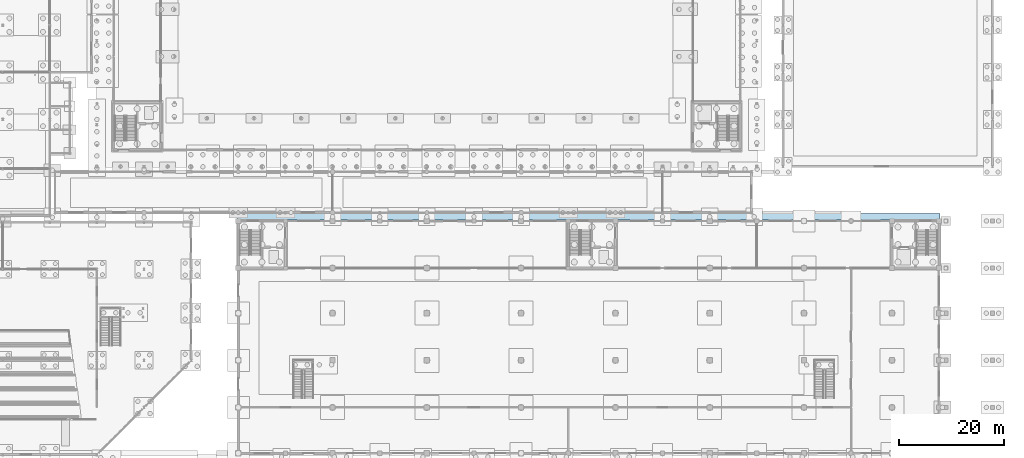
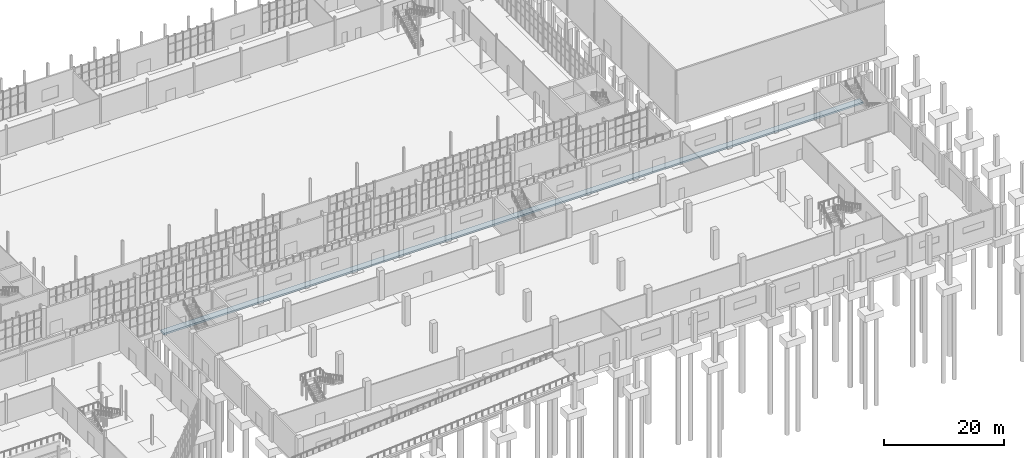
# One storey, part 91 of 131: 1 slab.
"""IFC4 building model written with IfcOpenShell, lengths in metres."""

from ifc_helpers import new_model, si_unit, direction, frame, origin, place, context, subcontext, project, spatial, polyline, outline, extrude, material, layer, layer_set, type_object, element, save


model = new_model("IFC4")

# Units and contexts
model_context = context("Model", 3, precision=1e-05, world=origin(), true_north=direction((0.0, 1.0)))
body_context = subcontext(model_context, "Body", "Model", "MODEL_VIEW")
ifc_project = project(units=[si_unit("LENGTHUNIT", "METRE"), si_unit("AREAUNIT", "SQUARE_METRE"), si_unit("VOLUMEUNIT", "CUBIC_METRE"), si_unit("PLANEANGLEUNIT", "RADIAN"), si_unit("MASSUNIT", "GRAM", prefix="KILO")], contexts=[model_context])

# Site, building, storey
site_placement = place(None, origin())
site = spatial("IfcSite", under=ifc_project, at=site_placement, CompositionType="ELEMENT")
building_placement = place(site_placement, origin())
building = spatial("IfcBuilding", under=site, at=building_placement, Name="Cazmaro Siding Exhibition Halls", CompositionType="ELEMENT")
storey_placement = place(building_placement, origin())
storey = spatial("IfcBuildingStorey", under=building, at=storey_placement, Name="L00", CompositionType="ELEMENT", Elevation=0.0)

# Slab
ifc_material = material(Name="Concrete f'c 35 MPa", Category="concrete")
ifc_layer = layer(ifc_material, 0.35009765625)
ifc_layer_set = layer_set([ifc_layer], Name="Concrete f'c 35 MPa")
slab_type = type_object("IfcSlabType", Name="BS-03", PredefinedType="BASESLAB", material=ifc_layer_set)
slab_placement = place(storey_placement, frame((0.0, 0.0, -0.35009765625)))
element("IfcSlab", 1, at=slab_placement, inside=storey, type_object=slab_type, Name="Arroyo South Courtyard Promenade BS-03 SLB-0011", PredefinedType="BASESLAB", context=body_context, shape_type="SweptSolid", body=[
    extrude(outline(polyline([(71.800048828125, 53.800048828125), (206.0, 53.800048828125), (206.0, 55.0), (71.800048828125, 55.0), (71.800048828125, 53.800048828125)])), origin(), (0.0, 0.0, 1.0), 0.35009765625),
])

save(model, "model.ifc")
